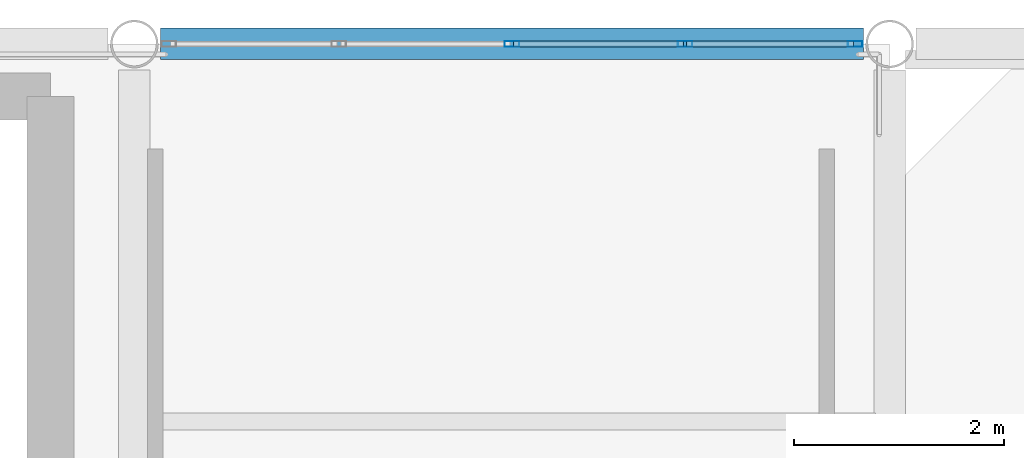
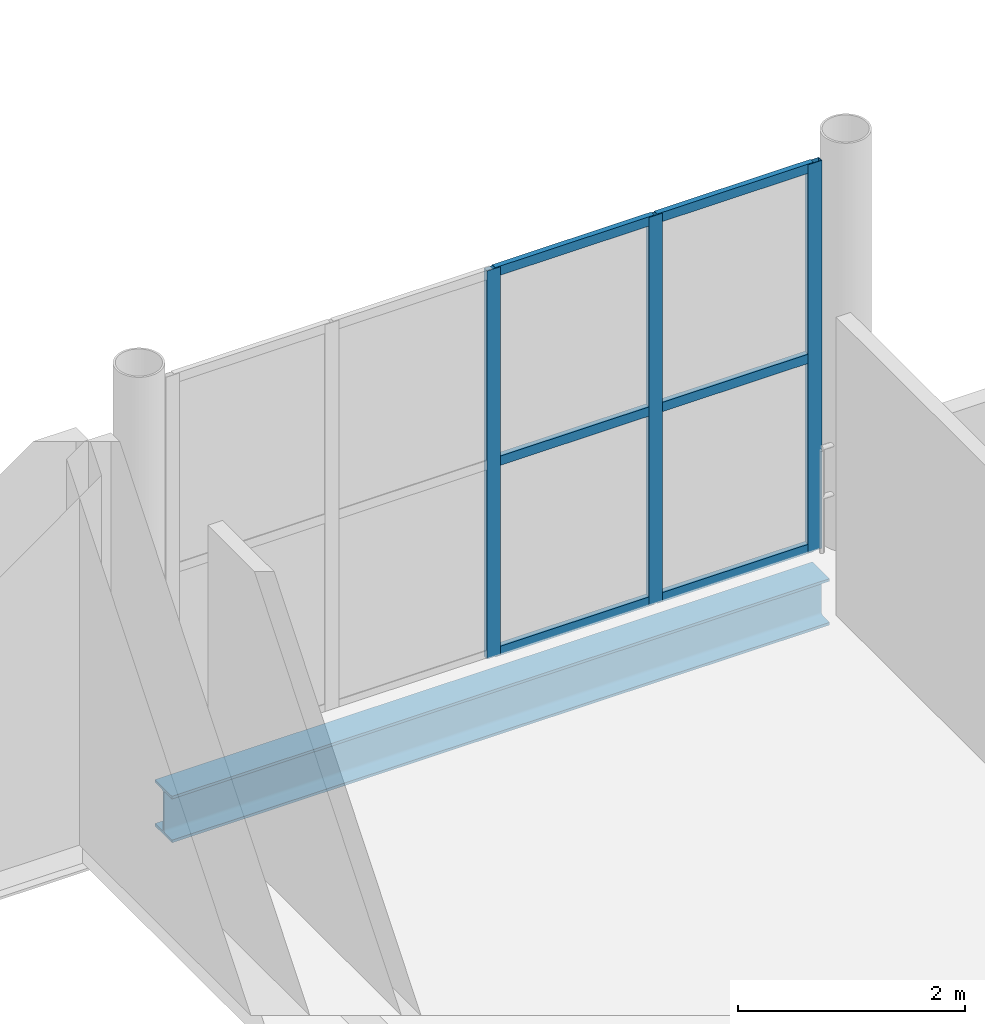
# One storey, part 49 of 81: 9 members, 1 beam, 1 element without a shape of its own.
"""IFC4 building model written with IfcOpenShell, lengths in metres."""

from ifc_helpers import new_model, si_unit, direction, frame, origin, origin_2d, place, context, subcontext, project, spatial, hollow_rectangle, i_section, extrude, material, material_profile, profile_set, type_object, element, aggregate, save


model = new_model("IFC4")

# Units and contexts
model_context = context("Model", 3, precision=1e-05, world=origin(), true_north=direction((0.0, 1.0)))
body_context = subcontext(model_context, "Body", "Model", "MODEL_VIEW")
ifc_project = project(units=[si_unit("LENGTHUNIT", "METRE"), si_unit("AREAUNIT", "SQUARE_METRE"), si_unit("VOLUMEUNIT", "CUBIC_METRE"), si_unit("PLANEANGLEUNIT", "RADIAN"), si_unit("MASSUNIT", "GRAM", prefix="KILO")], contexts=[model_context])

# Site, building, storey
site_placement = place(None, origin())
site = spatial("IfcSite", under=ifc_project, at=site_placement, CompositionType="ELEMENT")
building_placement = place(site_placement, origin())
building = spatial("IfcBuilding", under=site, at=building_placement, Name="Qandorah Velis Arena", CompositionType="ELEMENT")
storey_placement = place(building_placement, frame((0.0, 0.0, 18.60009765625)))
storey = spatial("IfcBuildingStorey", under=building, at=storey_placement, Name="L04", CompositionType="ELEMENT", Elevation=18.60009765625)

# Curtain wall, members
ifc_material_1 = material(Name="Solar-control low-E double glazing", Category="glass")
curtain_wall_type = type_object("IfcCurtainWallType", Name="ARC-CW-SYS24", PredefinedType="USERDEFINED", material=ifc_material_1)
curtain_wall_placement = place(storey_placement, origin())
curtain_wall = element("IfcCurtainWall", 1, at=curtain_wall_placement, inside=storey, type_object=curtain_wall_type, Name="Unitised curtain wall L04-096", ObjectType="UNITISED CURTAIN WALL", PredefinedType="USERDEFINED")
ifc_material_2 = material(Name="Champagne-bronze anodized aluminium 6063-T6", Category="aluminium")
ifc_material_profile_1 = material_profile(ifc_material_2, hollow_rectangle(XDim=0.054931640625, YDim=0.139892578125, WallThickness=0.0029296875, at=origin_2d()), Name="ALU MULLION 55x140")
ifc_profile_set_1 = profile_set([ifc_material_profile_1], Name="Champagne-bronze anodized aluminium 6063-T6")
member_type_1 = type_object("IfcMemberType", Name="ARC-CWM-140", PredefinedType="MULLION", material=ifc_profile_set_1)
member_1_placement = place(storey_placement, frame((90.0, 129.60009765625, -0.01513671875), z_axis=(0.0, 0.0, 1.0), x_axis=(0.0, 1.0, 0.0)))
member_1 = element("IfcMember", 2, at=member_1_placement, type_object=member_type_1, Name="CW24 mullion 3", PredefinedType="MULLION", context=body_context, shape_type="SweptSolid", body=[
    extrude(hollow_rectangle(XDim=0.054931640625, YDim=0.139892578125, WallThickness=0.0029296875, at=origin_2d()), origin(), (0.0, 0.0, 1.0), 4.179931640625),
])
member_2_placement = place(storey_placement, frame((91.64990234375, 129.60009765625, -0.01513671875), z_axis=(0.0, 0.0, 1.0), x_axis=(0.0, 1.0, 0.0)))
member_2 = element("IfcMember", 3, at=member_2_placement, type_object=member_type_1, Name="CW24 mullion 4", PredefinedType="MULLION", context=body_context, shape_type="SweptSolid", body=[
    extrude(hollow_rectangle(XDim=0.054931640625, YDim=0.139892578125, WallThickness=0.0029296875, at=origin_2d()), origin(), (0.0, 0.0, 1.0), 4.179931640625),
])
member_3_placement = place(storey_placement, frame((93.2724609375, 129.60009765625, -0.01513671875), z_axis=(0.0, 0.0, 1.0), x_axis=(0.0, 1.0, 0.0)))
member_3 = element("IfcMember", 4, at=member_3_placement, type_object=member_type_1, Name="CW24 mullion 5", PredefinedType="MULLION", context=body_context, shape_type="SweptSolid", body=[
    extrude(hollow_rectangle(XDim=0.054931640625, YDim=0.139892578125, WallThickness=0.0029296875, at=origin_2d()), origin(), (0.0, 0.0, 1.0), 4.179931640625),
])
ifc_material_profile_2 = material_profile(ifc_material_2, hollow_rectangle(XDim=0.054931640625, YDim=0.10009765625, WallThickness=0.0029296875, at=origin_2d()), Name="ALU TRANSOM 55x100")
ifc_profile_set_2 = profile_set([ifc_material_profile_2], Name="Champagne-bronze anodized aluminium 6063-T6")
member_type_2 = type_object("IfcMemberType", Name="ARC-CWT-100", PredefinedType="USERDEFINED", material=ifc_profile_set_2)
member_4_placement = place(storey_placement, frame((90.015380859375, 129.60009765625, 0.02734375), z_axis=(1.0, 0.0, 0.0), x_axis=(0.0, 1.0, 0.0)))
member_4 = element("IfcMember", 5, at=member_4_placement, type_object=member_type_2, Name="CW24 transom 3.1", ObjectType="TRANSOM", PredefinedType="USERDEFINED", context=body_context, shape_type="SweptSolid", body=[
    extrude(hollow_rectangle(XDim=0.054931640625, YDim=0.10009765625, WallThickness=0.0029296875, at=origin_2d()), origin(), (0.0, 0.0, 1.0), 1.619140625),
])
member_5_placement = place(storey_placement, frame((90.015380859375, 129.60009765625, 2.074951171875), z_axis=(1.0, 0.0, 0.0), x_axis=(0.0, 1.0, 0.0)))
member_5 = element("IfcMember", 6, at=member_5_placement, type_object=member_type_2, Name="CW24 transom 3.2", ObjectType="TRANSOM", PredefinedType="USERDEFINED", context=body_context, shape_type="SweptSolid", body=[
    extrude(hollow_rectangle(XDim=0.054931640625, YDim=0.10009765625, WallThickness=0.0029296875, at=origin_2d()), origin(), (0.0, 0.0, 1.0), 1.619140625),
])
member_6_placement = place(storey_placement, frame((90.015380859375, 129.60009765625, 4.122314453125), z_axis=(1.0, 0.0, 0.0), x_axis=(0.0, 1.0, 0.0)))
member_6 = element("IfcMember", 7, at=member_6_placement, type_object=member_type_2, Name="CW24 transom 3.3", ObjectType="TRANSOM", PredefinedType="USERDEFINED", context=body_context, shape_type="SweptSolid", body=[
    extrude(hollow_rectangle(XDim=0.054931640625, YDim=0.10009765625, WallThickness=0.0029296875, at=origin_2d()), origin(), (0.0, 0.0, 1.0), 1.619140625),
])
member_7_placement = place(storey_placement, frame((91.66552734375, 129.60009765625, 0.02734375), z_axis=(1.0, 0.0, 0.0), x_axis=(0.0, 1.0, 0.0)))
member_7 = element("IfcMember", 8, at=member_7_placement, type_object=member_type_2, Name="CW24 transom 4.1", ObjectType="TRANSOM", PredefinedType="USERDEFINED", context=body_context, shape_type="SweptSolid", body=[
    extrude(hollow_rectangle(XDim=0.054931640625, YDim=0.10009765625, WallThickness=0.0029296875, at=origin_2d()), origin(), (0.0, 0.0, 1.0), 1.591552734375),
])
member_8_placement = place(storey_placement, frame((91.66552734375, 129.60009765625, 2.074951171875), z_axis=(1.0, 0.0, 0.0), x_axis=(0.0, 1.0, 0.0)))
member_8 = element("IfcMember", 9, at=member_8_placement, type_object=member_type_2, Name="CW24 transom 4.2", ObjectType="TRANSOM", PredefinedType="USERDEFINED", context=body_context, shape_type="SweptSolid", body=[
    extrude(hollow_rectangle(XDim=0.054931640625, YDim=0.10009765625, WallThickness=0.0029296875, at=origin_2d()), origin(), (0.0, 0.0, 1.0), 1.591552734375),
])
member_9_placement = place(storey_placement, frame((91.66552734375, 129.60009765625, 4.122314453125), z_axis=(1.0, 0.0, 0.0), x_axis=(0.0, 1.0, 0.0)))
member_9 = element("IfcMember", 10, at=member_9_placement, type_object=member_type_2, Name="CW24 transom 4.3", ObjectType="TRANSOM", PredefinedType="USERDEFINED", context=body_context, shape_type="SweptSolid", body=[
    extrude(hollow_rectangle(XDim=0.054931640625, YDim=0.10009765625, WallThickness=0.0029296875, at=origin_2d()), origin(), (0.0, 0.0, 1.0), 1.591552734375),
])
aggregate(curtain_wall, [member_1, member_2, member_3, member_4, member_5, member_6, member_7, member_8, member_9])

# Beam
ifc_material_3 = material(Name="Steel S355", Category="steel")
ifc_material_profile_3 = material_profile(ifc_material_3, i_section(OverallWidth=0.300048828125, OverallDepth=0.5, WebThickness=0.014404296875, FlangeThickness=0.028076171875, FilletRadius=0.027099609375, at=origin_2d()), Name="HEB 500")
ifc_profile_set_3 = profile_set([ifc_material_profile_3], Name="Steel S355")
beam_type = type_object("IfcBeamType", Name="STR-BM-HEB500", PredefinedType="BEAM", material=ifc_profile_set_3)
beam_placement = place(storey_placement, frame((86.64990234375, 129.60009765625, -0.52001953125), z_axis=(1.0, 0.0, 0.0), x_axis=(0.0, 1.0, 0.0)))
element("IfcBeam", 11, at=beam_placement, inside=storey, type_object=beam_type, Name="Primary floor girder L04 X-142", PredefinedType="BEAM", context=body_context, shape_type="SweptSolid", body=[
    extrude(i_section(OverallWidth=0.300048828125, OverallDepth=0.5, WebThickness=0.014404296875, FlangeThickness=0.028076171875, FilletRadius=0.027099609375, at=origin_2d()), origin(), (0.0, 0.0, 1.0), 6.7001953125),
])

save(model, "model.ifc")
